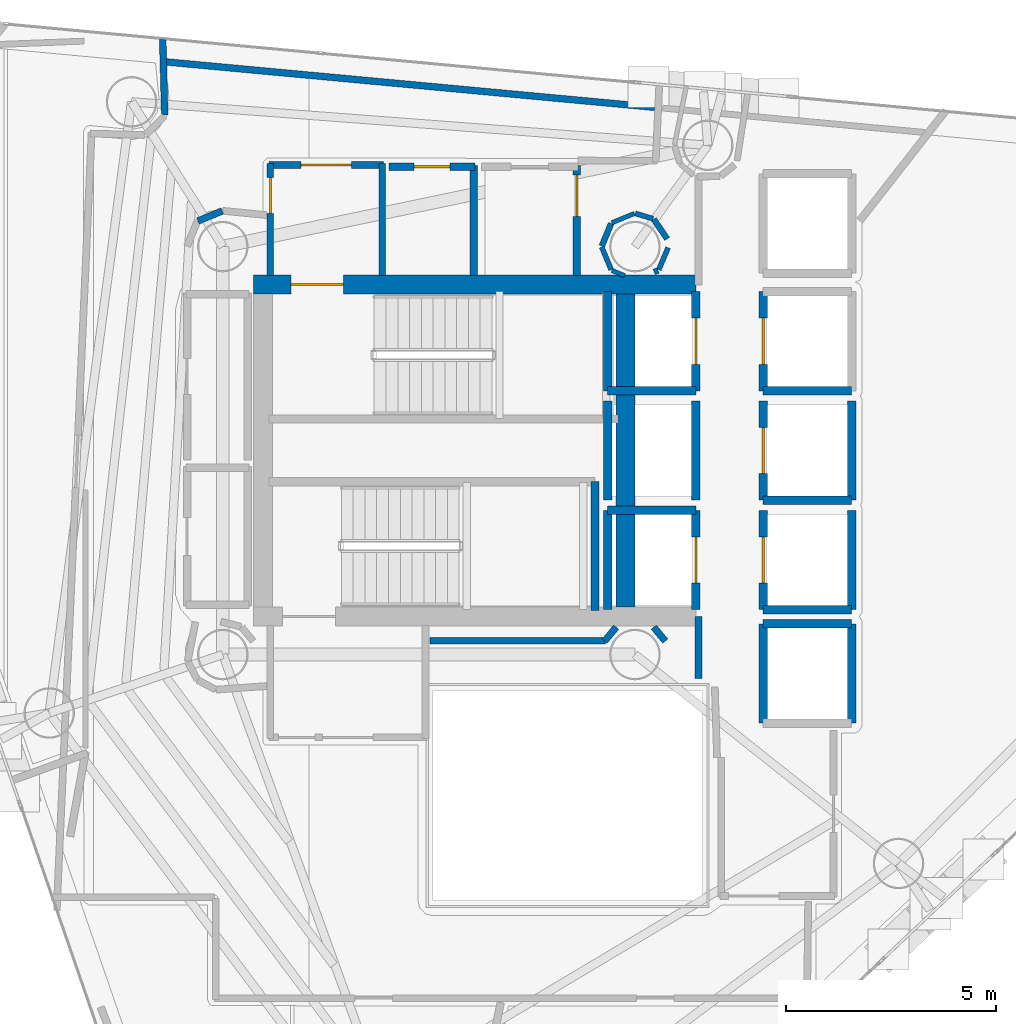
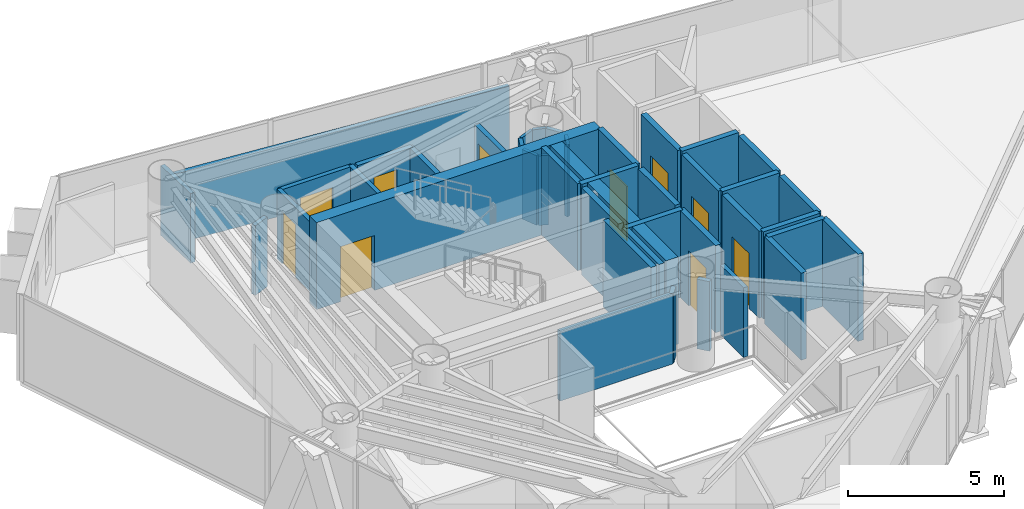
# One storey, part 17 of 20: 43 walls, 10 doors, 10 openings.
"""IFC4 building model written with IfcOpenShell, lengths in metres."""

from ifc_helpers import new_model, si_unit, direction, frame, frame_2d, origin, place, context, subcontext, project, spatial, rectangle, extrude, material, layer, layer_set, type_object, element, fill, save


model = new_model("IFC4")

# Units and contexts
model_context = context("Model", 3, precision=1e-05, world=origin(), true_north=direction((0.0, 1.0)))
body_context = subcontext(model_context, "Body", "Model", "MODEL_VIEW")
ifc_project = project(units=[si_unit("LENGTHUNIT", "METRE"), si_unit("AREAUNIT", "SQUARE_METRE"), si_unit("VOLUMEUNIT", "CUBIC_METRE"), si_unit("PLANEANGLEUNIT", "RADIAN"), si_unit("MASSUNIT", "GRAM", prefix="KILO")], contexts=[model_context])

# Site, building, storey
site_placement = place(None, origin())
site = spatial("IfcSite", under=ifc_project, at=site_placement, CompositionType="ELEMENT")
building_placement = place(site_placement, origin())
building = spatial("IfcBuilding", under=site, at=building_placement, Name="Qianvela Tower", CompositionType="ELEMENT")
storey_placement = place(building_placement, frame((0.0, 0.0, 226.199951171875)))
storey = spatial("IfcBuildingStorey", under=building, at=storey_placement, Name="L58", CompositionType="ELEMENT", Elevation=226.199951171875)

# Wall, opening, door
ifc_material_1 = material(Name="Concrete C50", Category="concrete")
ifc_layer_1 = layer(ifc_material_1, 0.449951171875)
ifc_layer_set_1 = layer_set([ifc_layer_1], Name="Concrete C50")
wall_type_1 = type_object("IfcWallType", Name="WT-CORE-450", PredefinedType="SHEAR", material=ifc_layer_set_1)
wall_1_placement = place(storey_placement, frame((29.330078125, 32.64501953125, 0.0), z_axis=(0.0, 0.0, 1.0), x_axis=(1.0, 0.0, 0.0)))
wall_1 = element("IfcWall", 1, at=wall_1_placement, inside=storey, type_object=wall_type_1, Name="L58 North Core Shear Wall", PredefinedType="SHEAR", context=body_context, shape_type="SweptSolid", body=[
    extrude(rectangle(XDim=10.52001953125, YDim=0.449951171875, at=frame_2d((5.260009765625, 0.0))), origin(), (0.0, 0.0, 1.0), 3.400146484375),
])
opening_1_placement = place(wall_1_placement, frame((0.89501953125, 0.0, 0.0)))
opening_1 = element("IfcOpeningElement", 2, at=opening_1_placement, cuts=wall_1, Name="Opening D-ST1", PredefinedType="OPENING", context=body_context, shape_type="SweptSolid", body=[
    extrude(rectangle(XDim=1.25, YDim=2.14990234375, at=frame_2d((0.625, 1.074951171875))), frame((0.0, 0.23486328125, 0.0), z_axis=(0.0, -1.0, 0.0), x_axis=(1.0, 0.0, 0.0)), (0.0, 0.0, 1.0), 0.469970703125),
])
ifc_material_2 = material(Name="Galvanised Fire Steel Q355B", Category="steel")
door_type_1 = type_object("IfcDoorType", Name="DT-STAIR-FD90", OperationType="NOTDEFINED", PredefinedType="DOOR", material=ifc_material_2)
door_1_placement = place(opening_1_placement, origin())
door_1 = element("IfcDoor", 3, at=door_1_placement, inside=storey, type_object=door_type_1, Name="L58 Stair ST-1 Exit Door", OperationType="SINGLE_SWING_RIGHT", OverallHeight=2.14990234375, OverallWidth=1.25, PredefinedType="DOOR", context=body_context, shape_type="SweptSolid", body=[
    extrude(rectangle(XDim=1.25, YDim=2.14990234375, at=frame_2d((0.625, 1.074951171875))), frame((0.0, 0.02490234375, 0.0), z_axis=(0.0, -1.0, 0.0), x_axis=(1.0, 0.0, 0.0)), (0.0, 0.0, 1.0), 0.050048828125),
])
fill(opening_1, door_1)

# Wall
wall_2_placement = place(storey_placement, frame((38.179931640625, 24.97998046875, 0.0), z_axis=(0.0, 0.0, 1.0), x_axis=(0.0, 1.0, 0.0)))
element("IfcWall", 4, at=wall_2_placement, inside=storey, type_object=wall_type_1, Name="L58 East Spine Core Shear Wall", PredefinedType="SHEAR", context=body_context, shape_type="SweptSolid", body=[
    extrude(rectangle(XDim=7.43994140625, YDim=0.449951171875, at=frame_2d((3.719970703125, 0.0))), origin(), (0.0, 0.0, 1.0), 3.400146484375),
])

# Wall, opening, door
ifc_material_3 = material(Name="Fire-Rated Gypsum and Concrete Block", Category="concrete")
ifc_layer_2 = layer(ifc_material_3, 0.159912109375)
ifc_layer_set_2 = layer_set([ifc_layer_2], Name="Fire-Rated Gypsum and Concrete Block")
wall_type_2 = type_object("IfcWallType", Name="WT-CORR-160", PredefinedType="PARTITIONING", material=ifc_layer_set_2)
wall_3_placement = place(storey_placement, frame((29.73095703125, 32.85791015625, 0.0), z_axis=(0.0, 0.0, 1.0), x_axis=(0.0, 1.0, 0.0)))
wall_3 = element("IfcWall", 5, at=wall_3_placement, inside=storey, type_object=wall_type_2, Name="L58 Partition 2", PredefinedType="PARTITIONING", context=body_context, shape_type="SweptSolid", body=[
    extrude(rectangle(XDim=2.662109375, YDim=0.159912109375, at=frame_2d((1.3310546875, 0.0))), origin(), (0.0, 0.0, 1.0), 2.719970703125),
])
opening_2_placement = place(wall_3_placement, frame((1.478271484375, 0.0, 0.0)))
opening_2 = element("IfcOpeningElement", 6, at=opening_2_placement, cuts=wall_3, Name="Opening D-LB2", PredefinedType="OPENING", context=body_context, shape_type="SweptSolid", body=[
    extrude(rectangle(XDim=0.860107421875, YDim=2.050048828125, at=frame_2d((0.43017578125, 1.02490234375))), frame((0.0, 0.08984375, 0.0), z_axis=(0.0, -1.0, 0.0), x_axis=(1.0, 0.0, 0.0)), (0.0, 0.0, 1.0), 0.179931640625),
])
ifc_material_4 = material(Name="Insulated Steel Fire Door Q355B", Category="steel")
door_type_2 = type_object("IfcDoorType", Name="DT-LOBBY-FD90-860", OperationType="NOTDEFINED", PredefinedType="DOOR", material=ifc_material_4)
door_2_placement = place(opening_2_placement, origin())
door_2 = element("IfcDoor", 7, at=door_2_placement, inside=storey, type_object=door_type_2, Name="L58 Door L58 Firefighting Lobby North to L58 Floor Corridor", OperationType="SINGLE_SWING_RIGHT", OverallHeight=2.050048828125, OverallWidth=0.860107421875, PredefinedType="DOOR", context=body_context, shape_type="SweptSolid", body=[
    extrude(rectangle(XDim=0.860107421875, YDim=2.050048828125, at=frame_2d((0.43017578125, 1.02490234375))), frame((0.0, 0.02490234375, 0.0), z_axis=(0.0, -1.0, 0.0), x_axis=(1.0, 0.0, 0.0)), (0.0, 0.0, 1.0), 0.050048828125),
])
fill(opening_2, door_2)

wall_4_placement = place(storey_placement, frame((29.699951171875, 35.489013671875, 0.0), z_axis=(0.0, 0.0, 1.0), x_axis=(1.0, 0.0, 0.0)))
wall_4 = element("IfcWall", 8, at=wall_4_placement, inside=storey, type_object=wall_type_2, Name="L58 Partition 3", PredefinedType="PARTITIONING", context=body_context, shape_type="SweptSolid", body=[
    extrude(rectangle(XDim=2.719970703125, YDim=0.159912109375, at=frame_2d((1.35986328125, 0.0))), origin(), (0.0, 0.0, 1.0), 2.719970703125),
])
opening_3_placement = place(wall_4_placement, frame((0.760009765625, 0.0, 0.0)))
opening_3 = element("IfcOpeningElement", 9, at=opening_3_placement, cuts=wall_4, Name="Opening D-LB1", PredefinedType="OPENING", context=body_context, shape_type="SweptSolid", body=[
    extrude(rectangle(XDim=1.199951171875, YDim=2.14990234375, at=frame_2d((0.60009765625, 1.074951171875))), frame((0.0, 0.08984375, 0.0), z_axis=(0.0, -1.0, 0.0), x_axis=(1.0, 0.0, 0.0)), (0.0, 0.0, 1.0), 0.179931640625),
])
ifc_material_5 = material(Name="Glazed Fire-Rated Steel Frame", Category="steel")
door_type_3 = type_object("IfcDoorType", Name="DT-LOBBY-FD90", OperationType="NOTDEFINED", PredefinedType="DOOR", material=ifc_material_5)
door_3_placement = place(opening_3_placement, origin())
door_3 = element("IfcDoor", 10, at=door_3_placement, inside=storey, type_object=door_type_3, Name="L58 Door L58 Firefighting Lobby North to L58 Floor Corridor", OperationType="SINGLE_SWING_RIGHT", OverallHeight=2.14990234375, OverallWidth=1.199951171875, PredefinedType="DOOR", context=body_context, shape_type="SweptSolid", body=[
    extrude(rectangle(XDim=1.199951171875, YDim=2.14990234375, at=frame_2d((0.60009765625, 1.074951171875))), frame((0.0, 0.02490234375, 0.0), z_axis=(0.0, -1.0, 0.0), x_axis=(1.0, 0.0, 0.0)), (0.0, 0.0, 1.0), 0.050048828125),
])
fill(opening_3, door_3)

# Walls
wall_5_placement = place(storey_placement, frame((32.388916015625, 35.52001953125, 0.0), z_axis=(0.0, 0.0, 1.0), x_axis=(0.0, -1.0, 0.0)))
element("IfcWall", 11, at=wall_5_placement, inside=storey, type_object=wall_type_2, Name="L58 Partition 4", PredefinedType="PARTITIONING", context=body_context, shape_type="SweptSolid", body=[
    extrude(rectangle(XDim=2.662109375, YDim=0.159912109375, at=frame_2d((1.3310546875, 0.0))), origin(), (0.0, 0.0, 1.0), 2.719970703125),
])
wall_6_placement = place(storey_placement, frame((39.910888671875, 23.280029296875, 0.0), z_axis=(0.0, 0.0, 1.0), x_axis=(0.0, 1.0, 0.0)))
element("IfcWall", 12, at=wall_6_placement, inside=storey, type_object=wall_type_2, Name="L58 Partition 10", PredefinedType="PARTITIONING", context=body_context, shape_type="SweptSolid", body=[
    extrude(rectangle(XDim=1.47998046875, YDim=0.159912109375, at=frame_2d((0.739990234375, 0.0))), origin(), (0.0, 0.0, 1.0), 2.719970703125),
])
for number, where, z_axis, x_axis, name in (
    (13, (39.12109375, 24.169921875, 0.0), (0.0, 0.0, 1.0), (-0.638008265708, 0.770029514296, 0.0), "L58 Partition 49"),
    (14, (37.953857421875, 24.501708984375, 0.0), (0.0, 0.0, 1.0), (-0.638008265708, -0.770029514296, 0.0), "L58 Partition 52"),
):
    element("IfcWall", number, at=place(storey_placement, frame(where, z_axis=z_axis, x_axis=x_axis)), inside=storey, type_object=wall_type_2, Name=name, PredefinedType="PARTITIONING", context=body_context, shape_type="SweptSolid", body=[
        extrude(rectangle(XDim=0.430908203125, YDim=0.159912109375, at=frame_2d((0.21533203125, 0.0))), origin(), (0.0, 0.0, 1.0), 2.719970703125),
    ])
wall_7_placement = place(storey_placement, frame((37.70263671875, 24.180908203125, 0.0), z_axis=(0.0, 0.0, 1.0), x_axis=(-1.0, 0.0, 0.0)))
element("IfcWall", 15, at=wall_7_placement, inside=storey, type_object=wall_type_2, Name="L58 Partition 53", PredefinedType="PARTITIONING", context=body_context, shape_type="SweptSolid", body=[
    extrude(rectangle(XDim=4.172607421875, YDim=0.159912109375, at=frame_2d((2.08642578125, 0.0))), origin(), (0.0, 0.0, 1.0), 2.719970703125),
])
wall_8_placement = place(storey_placement, frame((27.219482421875, 36.678955078125, 0.0), z_axis=(0.0, 0.0, 1.0), x_axis=(-0.026877703582, 0.999638729267, 0.0)))
element("IfcWall", 16, at=wall_8_placement, inside=storey, type_object=wall_type_2, Name="L58 Partition 54", PredefinedType="PARTITIONING", context=body_context, shape_type="SweptSolid", body=[
    extrude(rectangle(XDim=1.843994140625, YDim=0.159912109375, at=frame_2d((0.921875, 0.0))), origin(), (0.0, 0.0, 1.0), 2.719970703125),
])
wall_9_placement = place(storey_placement, frame((27.150634765625, 37.95068359375, 0.0), z_axis=(0.0, 0.0, 1.0), x_axis=(0.995705004973, -0.092582628349, 0.0)))
element("IfcWall", 17, at=wall_9_placement, inside=storey, type_object=wall_type_2, Name="L58 Partition 55", PredefinedType="PARTITIONING", context=body_context, shape_type="SweptSolid", body=[
    extrude(rectangle(XDim=11.88232421875, YDim=0.159912109375, at=frame_2d((5.941162109375, 0.0))), origin(), (0.0, 0.0, 1.0), 2.719970703125),
])
wall_10_placement = place(storey_placement, frame((28.588134765625, 34.398681640625, 0.0), z_axis=(0.0, 0.0, 1.0), x_axis=(-0.923846138666, -0.382764042293, 0.0)))
element("IfcWall", 18, at=wall_10_placement, inside=storey, type_object=wall_type_2, Name="L58 Partition 60", PredefinedType="PARTITIONING", context=body_context, shape_type="SweptSolid", body=[
    extrude(rectangle(XDim=0.627685546875, YDim=0.159912109375, at=frame_2d((0.31396484375, 0.0))), origin(), (0.0, 0.0, 1.0), 2.719970703125),
])
ifc_material_6 = material(Name="Lightweight Gypsum Room Partition")
ifc_layer_3 = layer(ifc_material_6, 0.10498046875)
ifc_layer_set_3 = layer_set([ifc_layer_3], Name="Lightweight Gypsum Room Partition")
wall_type_3 = type_object("IfcWallType", Name="WT-PART-105", PredefinedType="PARTITIONING", material=ifc_layer_set_3)
wall_11_placement = place(storey_placement, frame((38.38818359375, 34.338623046875, 0.0), z_axis=(0.0, 0.0, 1.0), x_axis=(-0.923894108428, -0.382648241093, 0.0)))
element("IfcWall", 19, at=wall_11_placement, inside=storey, type_object=wall_type_3, Name="L58 Partition 114", PredefinedType="PARTITIONING", context=body_context, shape_type="SweptSolid", body=[
    extrude(rectangle(XDim=0.581787109375, YDim=0.10498046875, at=frame_2d((0.291015625, 0.0))), origin(), (0.0, 0.0, 1.0), 2.719970703125),
])
wall_12_placement = place(storey_placement, frame((37.8505859375, 32.98388671875, 0.0), z_axis=(0.0, 0.0, 1.0), x_axis=(0.923908393326, -0.382613748761, 0.0)))
element("IfcWall", 20, at=wall_12_placement, inside=storey, type_object=wall_type_3, Name="L58 Partition 117", PredefinedType="PARTITIONING", context=body_context, shape_type="SweptSolid", body=[
    extrude(rectangle(XDim=0.329345703125, YDim=0.10498046875, at=frame_2d((0.16455078125, 0.0))), origin(), (0.0, 0.0, 1.0), 2.719970703125),
])
ifc_material_7 = material(Name="Insulated Gypsum Stud Partition")
ifc_layer_4 = layer(ifc_material_7, 0.1201171875)
ifc_layer_set_4 = layer_set([ifc_layer_4], Name="Insulated Gypsum Stud Partition")
wall_type_4 = type_object("IfcWallType", Name="WT-PART-120", PredefinedType="PARTITIONING", material=ifc_layer_set_4)
wall_13_placement = place(storey_placement, frame((38.831298828125, 34.211669921875, 0.0), z_axis=(0.0, 0.0, 1.0), x_axis=(-0.957061618741, 0.289884559665, 0.0)))
element("IfcWall", 21, at=wall_13_placement, inside=storey, type_object=wall_type_4, Name="L58 Partition 113", PredefinedType="PARTITIONING", context=body_context, shape_type="SweptSolid", body=[
    extrude(rectangle(XDim=0.44140625, YDim=0.1201171875, at=frame_2d((0.220703125, 0.0))), origin(), (0.0, 0.0, 1.0), 2.719970703125),
])
wall_14_placement = place(storey_placement, frame((37.611328125, 33.5380859375, 0.0), z_axis=(0.0, 0.0, 1.0), x_axis=(0.382796622927, -0.923832639322, 0.0)))
element("IfcWall", 22, at=wall_14_placement, inside=storey, type_object=wall_type_4, Name="L58 Partition 116", PredefinedType="PARTITIONING", context=body_context, shape_type="SweptSolid", body=[
    extrude(rectangle(XDim=0.58154296875, YDim=0.1201171875, at=frame_2d((0.290771484375, 0.0))), origin(), (0.0, 0.0, 1.0), 2.719970703125),
])
wall_15_placement = place(storey_placement, frame((38.966064453125, 33.00048828125, 0.0), z_axis=(0.0, 0.0, 1.0), x_axis=(0.389247517771, 0.921133198788, 0.0)))
element("IfcWall", 23, at=wall_15_placement, inside=storey, type_object=wall_type_4, Name="L58 Partition 119", PredefinedType="PARTITIONING", context=body_context, shape_type="SweptSolid", body=[
    extrude(rectangle(XDim=0.568359375, YDim=0.1201171875, at=frame_2d((0.2841796875, 0.0))), origin(), (0.0, 0.0, 1.0), 2.719970703125),
])

# Wall, opening, door
ifc_material_8 = material(Name="Moisture-Resistant Acoustic Plumbing Wall")
ifc_layer_5 = layer(ifc_material_8, 0.175048828125)
ifc_layer_set_5 = layer_set([ifc_layer_5], Name="Moisture-Resistant Acoustic Plumbing Wall")
wall_type_5 = type_object("IfcWallType", Name="WT-PLUMB-175", PredefinedType="PLUMBINGWALL", material=ifc_layer_set_5)
wall_16_placement = place(storey_placement, frame((32.550048828125, 35.448974609375, 0.0), z_axis=(0.0, 0.0, 1.0), x_axis=(1.0, 0.0, 0.0)))
wall_16 = element("IfcWall", 24, at=wall_16_placement, inside=storey, type_object=wall_type_5, Name="L58 Partition 22", PredefinedType="PLUMBINGWALL", context=body_context, shape_type="SweptSolid", body=[
    extrude(rectangle(XDim=2.050048828125, YDim=0.175048828125, at=frame_2d((1.02490234375, 0.0))), origin(), (0.0, 0.0, 1.0), 2.719970703125),
])
opening_4_placement = place(wall_16_placement, frame((0.594970703125, 0.0, 0.0)))
opening_4 = element("IfcOpeningElement", 25, at=opening_4_placement, cuts=wall_16, Name="Opening D-WC1", PredefinedType="OPENING", context=body_context, shape_type="SweptSolid", body=[
    extrude(rectangle(XDim=0.860107421875, YDim=2.050048828125, at=frame_2d((0.43017578125, 1.02490234375))), frame((0.0, 0.097412109375, 0.0), z_axis=(0.0, -1.0, 0.0), x_axis=(1.0, 0.0, 0.0)), (0.0, 0.0, 1.0), 0.195068359375),
])
ifc_material_9 = material(Name="Moisture-Sealed Acoustic Timber Door", Category="wood")
door_type_4 = type_object("IfcDoorType", Name="DT-WC-860", OperationType="NOTDEFINED", PredefinedType="DOOR", material=ifc_material_9)
door_4_placement = place(opening_4_placement, origin())
door_4 = element("IfcDoor", 26, at=door_4_placement, inside=storey, type_object=door_type_4, Name="L58 Door L58 Accessible WC to L58 Floor Corridor", OperationType="SINGLE_SWING_LEFT", OverallHeight=2.050048828125, OverallWidth=0.860107421875, PredefinedType="DOOR", context=body_context, shape_type="SweptSolid", body=[
    extrude(rectangle(XDim=0.860107421875, YDim=2.050048828125, at=frame_2d((0.43017578125, 1.02490234375))), frame((0.0, 0.02490234375, 0.0), z_axis=(0.0, -1.0, 0.0), x_axis=(1.0, 0.0, 0.0)), (0.0, 0.0, 1.0), 0.050048828125),
])
fill(opening_4, door_4)

# Wall
wall_17_placement = place(storey_placement, frame((34.569091796875, 35.47998046875, 0.0), z_axis=(0.0, 0.0, 1.0), x_axis=(0.0, -1.0, 0.0)))
element("IfcWall", 27, at=wall_17_placement, inside=storey, type_object=wall_type_5, Name="L58 Partition 23", PredefinedType="PLUMBINGWALL", context=body_context, shape_type="SweptSolid", body=[
    extrude(rectangle(XDim=2.6220703125, YDim=0.175048828125, at=frame_2d((1.31103515625, 0.0))), origin(), (0.0, 0.0, 1.0), 2.719970703125),
])

# Wall, opening, door
wall_18_placement = place(storey_placement, frame((37.01904296875, 35.47998046875, 0.0), z_axis=(0.0, 0.0, 1.0), x_axis=(0.0, -1.0, 0.0)))
wall_18 = element("IfcWall", 28, at=wall_18_placement, inside=storey, type_object=wall_type_5, Name="L58 Partition 27", PredefinedType="PLUMBINGWALL", context=body_context, shape_type="SweptSolid", body=[
    extrude(rectangle(XDim=2.6220703125, YDim=0.175048828125, at=frame_2d((1.31103515625, 0.0))), origin(), (0.0, 0.0, 1.0), 2.719970703125),
])
opening_5_placement = place(wall_18_placement, frame((0.22998046875, 0.0, 0.0)))
opening_5 = element("IfcOpeningElement", 29, at=opening_5_placement, cuts=wall_18, Name="Opening D-RM1", PredefinedType="OPENING", context=body_context, shape_type="SweptSolid", body=[
    extrude(rectangle(XDim=0.97998046875, YDim=2.10009765625, at=frame_2d((0.489990234375, 1.050048828125))), frame((0.0, 0.097412109375, 0.0), z_axis=(0.0, -1.0, 0.0), x_axis=(1.0, 0.0, 0.0)), (0.0, 0.0, 1.0), 0.195068359375),
])
ifc_material_10 = material(Name="Solid Core Acoustic Timber Fire Door", Category="wood")
door_type_5 = type_object("IfcDoorType", Name="DT-ROOM-FD60", OperationType="NOTDEFINED", PredefinedType="DOOR", material=ifc_material_10)
door_5_placement = place(opening_5_placement, origin())
door_5 = element("IfcDoor", 30, at=door_5_placement, inside=storey, type_object=door_type_5, Name="L58 Door Print Copy Kiosk L58-04 to L58 Core Tea Pantry", OperationType="SINGLE_SWING_RIGHT", OverallHeight=2.10009765625, OverallWidth=0.97998046875, PredefinedType="DOOR", context=body_context, shape_type="SweptSolid", body=[
    extrude(rectangle(XDim=0.97998046875, YDim=2.10009765625, at=frame_2d((0.489990234375, 1.050048828125))), frame((0.0, 0.02490234375, 0.0), z_axis=(0.0, -1.0, 0.0), x_axis=(1.0, 0.0, 0.0)), (0.0, 0.0, 1.0), 0.050048828125),
])
fill(opening_5, door_5)

# Walls
ifc_material_11 = material(Name="Acoustic Double Gypsum Stud Partition")
ifc_layer_6 = layer(ifc_material_11, 0.139892578125)
ifc_layer_set_6 = layer_set([ifc_layer_6], Name="Acoustic Double Gypsum Stud Partition")
wall_type_6 = type_object("IfcWallType", Name="WT-ROOM-140", PredefinedType="PARTITIONING", material=ifc_layer_set_6)
wall_19_placement = place(storey_placement, frame((39.16552734375, 33.7333984375, 0.0), z_axis=(0.0, 0.0, 1.0), x_axis=(-0.563162199293, 0.826346378517, 0.0)))
element("IfcWall", 31, at=wall_19_placement, inside=storey, type_object=wall_type_6, Name="L58 Partition 112", PredefinedType="PARTITIONING", context=body_context, shape_type="SweptSolid", body=[
    extrude(rectangle(XDim=0.56396484375, YDim=0.139892578125, at=frame_2d((0.281982421875, 0.0))), origin(), (0.0, 0.0, 1.0), 2.719970703125),
])
wall_20_placement = place(storey_placement, frame((37.833984375, 34.099365234375, 0.0), z_axis=(0.0, 0.0, 1.0), x_axis=(-0.382796622927, -0.923832639322, 0.0)))
element("IfcWall", 32, at=wall_20_placement, inside=storey, type_object=wall_type_6, Name="L58 Partition 115", PredefinedType="PARTITIONING", context=body_context, shape_type="SweptSolid", body=[
    extrude(rectangle(XDim=0.58154296875, YDim=0.139892578125, at=frame_2d((0.290771484375, 0.0))), origin(), (0.0, 0.0, 1.0), 2.719970703125),
])
wall_21_placement = place(storey_placement, frame((38.85498046875, 32.945068359375, 0.0), z_axis=(0.0, 0.0, 1.0), x_axis=(0.924628481531, 0.380870281252, 0.0)))
element("IfcWall", 33, at=wall_21_placement, inside=storey, type_object=wall_type_6, Name="L58 Partition 118", PredefinedType="PARTITIONING", context=body_context, shape_type="SweptSolid", body=[
    extrude(rectangle(XDim=0.101806640625, YDim=0.139892578125, at=frame_2d((0.05078125, 0.0))), origin(), (0.0, 0.0, 1.0), 2.719970703125),
])
ifc_material_12 = material(Name="Concrete C50", Category="concrete")
ifc_layer_7 = layer(ifc_material_12, 0.199951171875)
ifc_layer_set_7 = layer_set([ifc_layer_7], Name="Concrete C50")
wall_type_7 = type_object("IfcWallType", Name="WT-SHAFT-200", PredefinedType="SOLIDWALL", material=ifc_layer_set_7)
wall_22_placement = place(storey_placement, frame((37.449951171875, 24.89990234375, 0.0), z_axis=(0.0, 0.0, 1.0), x_axis=(0.0, 1.0, 0.0)))
element("IfcWall", 34, at=wall_22_placement, inside=storey, type_object=wall_type_7, Name="L58 Stair ST-2 East Wall", PredefinedType="SOLIDWALL", context=body_context, shape_type="SweptSolid", body=[
    extrude(rectangle(XDim=3.06005859375, YDim=0.199951171875, at=frame_2d((1.530029296875, 0.0))), origin(), (0.0, 0.0, 1.0), 3.400146484375),
])

# Wall, opening, door
wall_23_placement = place(storey_placement, frame((39.85009765625, 30.1201171875, 0.0), z_axis=(0.0, 0.0, 1.0), x_axis=(0.0, 1.0, 0.0)))
wall_23 = element("IfcWall", 35, at=wall_23_placement, inside=storey, type_object=wall_type_7, Name="L58 Lift FL-1 E Shaft Wall", PredefinedType="SOLIDWALL", context=body_context, shape_type="SweptSolid", body=[
    extrude(rectangle(XDim=2.35986328125, YDim=0.199951171875, at=frame_2d((1.179931640625, 0.0))), origin(), (0.0, 0.0, 1.0), 3.400146484375),
])
opening_6_placement = place(wall_23_placement, frame((0.6298828125, 0.0, 0.0)))
opening_6 = element("IfcOpeningElement", 36, at=opening_6_placement, cuts=wall_23, Name="Opening LD-01", PredefinedType="OPENING", context=body_context, shape_type="SweptSolid", body=[
    extrude(rectangle(XDim=1.10009765625, YDim=2.14990234375, at=frame_2d((0.550048828125, 1.074951171875))), frame((0.0, 0.10986328125, 0.0), z_axis=(0.0, -1.0, 0.0), x_axis=(1.0, 0.0, 0.0)), (0.0, 0.0, 1.0), 0.219970703125),
])
ifc_material_13 = material(Name="Brushed Stainless Steel Lift Landing Door", Category="steel")
door_type_6 = type_object("IfcDoorType", Name="DT-LIFT-SLIDE-1100", OperationType="SLIDING_TO_LEFT", PredefinedType="DOOR", material=ifc_material_13)
door_6_placement = place(opening_6_placement, origin())
door_6 = element("IfcDoor", 37, at=door_6_placement, inside=storey, type_object=door_type_6, Name="L58 Lift FL-1 Sliding Landing Door", OperationType="SLIDING_TO_LEFT", OverallHeight=2.14990234375, OverallWidth=1.10009765625, PredefinedType="DOOR", context=body_context, shape_type="SweptSolid", body=[
    extrude(rectangle(XDim=1.10009765625, YDim=2.14990234375, at=frame_2d((0.550048828125, 1.074951171875))), frame((0.0, 0.02490234375, 0.0), z_axis=(0.0, -1.0, 0.0), x_axis=(1.0, 0.0, 0.0)), (0.0, 0.0, 1.0), 0.050048828125),
])
fill(opening_6, door_6)

# Walls
wall_24_placement = place(storey_placement, frame((37.75, 30.1201171875, 0.0), z_axis=(0.0, 0.0, 1.0), x_axis=(0.0, 1.0, 0.0)))
element("IfcWall", 38, at=wall_24_placement, inside=storey, type_object=wall_type_7, Name="L58 Lift FL-1 W Shaft Wall", PredefinedType="SOLIDWALL", context=body_context, shape_type="SweptSolid", body=[
    extrude(rectangle(XDim=2.35986328125, YDim=0.199951171875, at=frame_2d((1.179931640625, 0.0))), origin(), (0.0, 0.0, 1.0), 3.400146484375),
])
wall_25_placement = place(storey_placement, frame((37.75, 30.1201171875, 0.0), z_axis=(0.0, 0.0, 1.0), x_axis=(1.0, 0.0, 0.0)))
element("IfcWall", 39, at=wall_25_placement, inside=storey, type_object=wall_type_7, Name="L58 Lift FL-1 S Shaft Wall", PredefinedType="SOLIDWALL", context=body_context, shape_type="SweptSolid", body=[
    extrude(rectangle(XDim=2.10009765625, YDim=0.199951171875, at=frame_2d((1.050048828125, 0.0))), origin(), (0.0, 0.0, 1.0), 3.400146484375),
])

# Wall, opening, door
wall_26_placement = place(storey_placement, frame((39.85009765625, 24.919921875, 0.0), z_axis=(0.0, 0.0, 1.0), x_axis=(0.0, 1.0, 0.0)))
wall_26 = element("IfcWall", 40, at=wall_26_placement, inside=storey, type_object=wall_type_7, Name="L58 Lift FL-2 E Shaft Wall", PredefinedType="SOLIDWALL", context=body_context, shape_type="SweptSolid", body=[
    extrude(rectangle(XDim=2.360107421875, YDim=0.199951171875, at=frame_2d((1.18017578125, 0.0))), origin(), (0.0, 0.0, 1.0), 3.400146484375),
])
opening_7_placement = place(wall_26_placement, frame((0.6298828125, 0.0, 0.0)))
opening_7 = element("IfcOpeningElement", 41, at=opening_7_placement, cuts=wall_26, Name="Opening LD-01", PredefinedType="OPENING", context=body_context, shape_type="SweptSolid", body=[
    extrude(rectangle(XDim=1.10009765625, YDim=2.14990234375, at=frame_2d((0.550048828125, 1.074951171875))), frame((0.0, 0.10986328125, 0.0), z_axis=(0.0, -1.0, 0.0), x_axis=(1.0, 0.0, 0.0)), (0.0, 0.0, 1.0), 0.219970703125),
])
door_7_placement = place(opening_7_placement, origin())
door_7 = element("IfcDoor", 42, at=door_7_placement, inside=storey, type_object=door_type_6, Name="L58 Lift FL-2 Sliding Landing Door", OperationType="SLIDING_TO_LEFT", OverallHeight=2.14990234375, OverallWidth=1.10009765625, PredefinedType="DOOR", context=body_context, shape_type="SweptSolid", body=[
    extrude(rectangle(XDim=1.10009765625, YDim=2.14990234375, at=frame_2d((0.550048828125, 1.074951171875))), frame((0.0, 0.02490234375, 0.0), z_axis=(0.0, -1.0, 0.0), x_axis=(1.0, 0.0, 0.0)), (0.0, 0.0, 1.0), 0.050048828125),
])
fill(opening_7, door_7)

# Walls
wall_27_placement = place(storey_placement, frame((37.75, 24.919921875, 0.0), z_axis=(0.0, 0.0, 1.0), x_axis=(0.0, 1.0, 0.0)))
element("IfcWall", 43, at=wall_27_placement, inside=storey, type_object=wall_type_7, Name="L58 Lift FL-2 W Shaft Wall", PredefinedType="SOLIDWALL", context=body_context, shape_type="SweptSolid", body=[
    extrude(rectangle(XDim=2.360107421875, YDim=0.199951171875, at=frame_2d((1.18017578125, 0.0))), origin(), (0.0, 0.0, 1.0), 3.400146484375),
])
wall_28_placement = place(storey_placement, frame((37.75, 27.280029296875, 0.0), z_axis=(0.0, 0.0, 1.0), x_axis=(1.0, 0.0, 0.0)))
element("IfcWall", 44, at=wall_28_placement, inside=storey, type_object=wall_type_7, Name="L58 Lift FL-2 N Shaft Wall", PredefinedType="SOLIDWALL", context=body_context, shape_type="SweptSolid", body=[
    extrude(rectangle(XDim=2.10009765625, YDim=0.199951171875, at=frame_2d((1.050048828125, 0.0))), origin(), (0.0, 0.0, 1.0), 3.400146484375),
])

# Wall, opening, door
wall_29_placement = place(storey_placement, frame((41.449951171875, 30.1201171875, 0.0), z_axis=(0.0, 0.0, 1.0), x_axis=(0.0, 1.0, 0.0)))
wall_29 = element("IfcWall", 45, at=wall_29_placement, inside=storey, type_object=wall_type_7, Name="L58 Lift PL-M1 W Shaft Wall", PredefinedType="SOLIDWALL", context=body_context, shape_type="SweptSolid", body=[
    extrude(rectangle(XDim=2.35986328125, YDim=0.199951171875, at=frame_2d((1.179931640625, 0.0))), origin(), (0.0, 0.0, 1.0), 3.400146484375),
])
opening_8_placement = place(wall_29_placement, frame((0.6298828125, 0.0, 0.0)))
opening_8 = element("IfcOpeningElement", 46, at=opening_8_placement, cuts=wall_29, Name="Opening LD-01", PredefinedType="OPENING", context=body_context, shape_type="SweptSolid", body=[
    extrude(rectangle(XDim=1.10009765625, YDim=2.14990234375, at=frame_2d((0.550048828125, 1.074951171875))), frame((0.0, 0.10986328125, 0.0), z_axis=(0.0, -1.0, 0.0), x_axis=(1.0, 0.0, 0.0)), (0.0, 0.0, 1.0), 0.219970703125),
])
door_8_placement = place(opening_8_placement, origin())
door_8 = element("IfcDoor", 47, at=door_8_placement, inside=storey, type_object=door_type_6, Name="L58 Lift PL-M1 Sliding Landing Door", OperationType="SLIDING_TO_LEFT", OverallHeight=2.14990234375, OverallWidth=1.10009765625, PredefinedType="DOOR", context=body_context, shape_type="SweptSolid", body=[
    extrude(rectangle(XDim=1.10009765625, YDim=2.14990234375, at=frame_2d((0.550048828125, 1.074951171875))), frame((0.0, 0.02490234375, 0.0), z_axis=(0.0, -1.0, 0.0), x_axis=(1.0, 0.0, 0.0)), (0.0, 0.0, 1.0), 0.050048828125),
])
fill(opening_8, door_8)

# Walls
wall_30_placement = place(storey_placement, frame((41.449951171875, 30.1201171875, 0.0), z_axis=(0.0, 0.0, 1.0), x_axis=(1.0, 0.0, 0.0)))
element("IfcWall", 48, at=wall_30_placement, inside=storey, type_object=wall_type_7, Name="L58 Lift PL-M1 S Shaft Wall", PredefinedType="SOLIDWALL", context=body_context, shape_type="SweptSolid", body=[
    extrude(rectangle(XDim=2.10009765625, YDim=0.199951171875, at=frame_2d((1.050048828125, 0.0))), origin(), (0.0, 0.0, 1.0), 3.400146484375),
])
wall_31_placement = place(storey_placement, frame((43.550048828125, 27.52001953125, 0.0), z_axis=(0.0, 0.0, 1.0), x_axis=(0.0, 1.0, 0.0)))
element("IfcWall", 49, at=wall_31_placement, inside=storey, type_object=wall_type_7, Name="L58 Lift PL-M2 E Shaft Wall", PredefinedType="SOLIDWALL", context=body_context, shape_type="SweptSolid", body=[
    extrude(rectangle(XDim=2.35986328125, YDim=0.199951171875, at=frame_2d((1.179931640625, 0.0))), origin(), (0.0, 0.0, 1.0), 3.400146484375),
])

# Wall, opening, door
wall_32_placement = place(storey_placement, frame((41.449951171875, 27.52001953125, 0.0), z_axis=(0.0, 0.0, 1.0), x_axis=(0.0, 1.0, 0.0)))
wall_32 = element("IfcWall", 50, at=wall_32_placement, inside=storey, type_object=wall_type_7, Name="L58 Lift PL-M2 W Shaft Wall", PredefinedType="SOLIDWALL", context=body_context, shape_type="SweptSolid", body=[
    extrude(rectangle(XDim=2.35986328125, YDim=0.199951171875, at=frame_2d((1.179931640625, 0.0))), origin(), (0.0, 0.0, 1.0), 3.400146484375),
])
opening_9_placement = place(wall_32_placement, frame((0.6298828125, 0.0, 0.0)))
opening_9 = element("IfcOpeningElement", 51, at=opening_9_placement, cuts=wall_32, Name="Opening LD-01", PredefinedType="OPENING", context=body_context, shape_type="SweptSolid", body=[
    extrude(rectangle(XDim=1.10009765625, YDim=2.14990234375, at=frame_2d((0.550048828125, 1.074951171875))), frame((0.0, 0.10986328125, 0.0), z_axis=(0.0, -1.0, 0.0), x_axis=(1.0, 0.0, 0.0)), (0.0, 0.0, 1.0), 0.219970703125),
])
door_9_placement = place(opening_9_placement, origin())
door_9 = element("IfcDoor", 52, at=door_9_placement, inside=storey, type_object=door_type_6, Name="L58 Lift PL-M2 Sliding Landing Door", OperationType="SLIDING_TO_LEFT", OverallHeight=2.14990234375, OverallWidth=1.10009765625, PredefinedType="DOOR", context=body_context, shape_type="SweptSolid", body=[
    extrude(rectangle(XDim=1.10009765625, YDim=2.14990234375, at=frame_2d((0.550048828125, 1.074951171875))), frame((0.0, 0.02490234375, 0.0), z_axis=(0.0, -1.0, 0.0), x_axis=(1.0, 0.0, 0.0)), (0.0, 0.0, 1.0), 0.050048828125),
])
fill(opening_9, door_9)

# Walls
wall_33_placement = place(storey_placement, frame((41.449951171875, 27.52001953125, 0.0), z_axis=(0.0, 0.0, 1.0), x_axis=(1.0, 0.0, 0.0)))
element("IfcWall", 53, at=wall_33_placement, inside=storey, type_object=wall_type_7, Name="L58 Lift PL-M2 S Shaft Wall", PredefinedType="SOLIDWALL", context=body_context, shape_type="SweptSolid", body=[
    extrude(rectangle(XDim=2.10009765625, YDim=0.199951171875, at=frame_2d((1.050048828125, 0.0))), origin(), (0.0, 0.0, 1.0), 3.400146484375),
])
wall_34_placement = place(storey_placement, frame((43.550048828125, 24.919921875, 0.0), z_axis=(0.0, 0.0, 1.0), x_axis=(0.0, 1.0, 0.0)))
element("IfcWall", 54, at=wall_34_placement, inside=storey, type_object=wall_type_7, Name="L58 Lift PL-M3 E Shaft Wall", PredefinedType="SOLIDWALL", context=body_context, shape_type="SweptSolid", body=[
    extrude(rectangle(XDim=2.360107421875, YDim=0.199951171875, at=frame_2d((1.18017578125, 0.0))), origin(), (0.0, 0.0, 1.0), 3.400146484375),
])

# Wall, opening, door
wall_35_placement = place(storey_placement, frame((41.449951171875, 24.919921875, 0.0), z_axis=(0.0, 0.0, 1.0), x_axis=(0.0, 1.0, 0.0)))
wall_35 = element("IfcWall", 55, at=wall_35_placement, inside=storey, type_object=wall_type_7, Name="L58 Lift PL-M3 W Shaft Wall", PredefinedType="SOLIDWALL", context=body_context, shape_type="SweptSolid", body=[
    extrude(rectangle(XDim=2.360107421875, YDim=0.199951171875, at=frame_2d((1.18017578125, 0.0))), origin(), (0.0, 0.0, 1.0), 3.400146484375),
])
opening_10_placement = place(wall_35_placement, frame((0.6298828125, 0.0, 0.0)))
opening_10 = element("IfcOpeningElement", 56, at=opening_10_placement, cuts=wall_35, Name="Opening LD-01", PredefinedType="OPENING", context=body_context, shape_type="SweptSolid", body=[
    extrude(rectangle(XDim=1.10009765625, YDim=2.14990234375, at=frame_2d((0.550048828125, 1.074951171875))), frame((0.0, 0.10986328125, 0.0), z_axis=(0.0, -1.0, 0.0), x_axis=(1.0, 0.0, 0.0)), (0.0, 0.0, 1.0), 0.219970703125),
])
door_10_placement = place(opening_10_placement, origin())
door_10 = element("IfcDoor", 57, at=door_10_placement, inside=storey, type_object=door_type_6, Name="L58 Lift PL-M3 Sliding Landing Door", OperationType="SLIDING_TO_LEFT", OverallHeight=2.14990234375, OverallWidth=1.10009765625, PredefinedType="DOOR", context=body_context, shape_type="SweptSolid", body=[
    extrude(rectangle(XDim=1.10009765625, YDim=2.14990234375, at=frame_2d((0.550048828125, 1.074951171875))), frame((0.0, 0.02490234375, 0.0), z_axis=(0.0, -1.0, 0.0), x_axis=(1.0, 0.0, 0.0)), (0.0, 0.0, 1.0), 0.050048828125),
])
fill(opening_10, door_10)

# Walls
wall_36_placement = place(storey_placement, frame((41.449951171875, 24.919921875, 0.0), z_axis=(0.0, 0.0, 1.0), x_axis=(1.0, 0.0, 0.0)))
element("IfcWall", 58, at=wall_36_placement, inside=storey, type_object=wall_type_7, Name="L58 Lift PL-M3 S Shaft Wall", PredefinedType="SOLIDWALL", context=body_context, shape_type="SweptSolid", body=[
    extrude(rectangle(XDim=2.10009765625, YDim=0.199951171875, at=frame_2d((1.050048828125, 0.0))), origin(), (0.0, 0.0, 1.0), 3.400146484375),
])
for number, where, z_axis, x_axis, name in (
    (59, (39.85009765625, 27.52001953125, 0.0), (0.0, 0.0, 1.0), (0.0, 1.0, 0.0), "L58 Lift PL-H1 E Shaft Wall"),
    (60, (37.75, 27.52001953125, 0.0), (0.0, 0.0, 1.0), (0.0, 1.0, 0.0), "L58 Lift PL-H1 W Shaft Wall"),
):
    element("IfcWall", number, at=place(storey_placement, frame(where, z_axis=z_axis, x_axis=x_axis)), inside=storey, type_object=wall_type_7, Name=name, PredefinedType="SOLIDWALL", context=body_context, shape_type="SweptSolid", body=[
        extrude(rectangle(XDim=2.35986328125, YDim=0.199951171875, at=frame_2d((1.179931640625, 0.0))), origin(), (0.0, 0.0, 1.0), 3.400146484375),
    ])
for number, where, z_axis, x_axis, name in (
    (61, (43.550048828125, 22.219970703125, 0.0), (0.0, 0.0, 1.0), (0.0, 1.0, 0.0), "L58 Lift PL-H2 E Shaft Wall"),
    (62, (41.449951171875, 22.219970703125, 0.0), (0.0, 0.0, 1.0), (0.0, 1.0, 0.0), "L58 Lift PL-H2 W Shaft Wall"),
):
    element("IfcWall", number, at=place(storey_placement, frame(where, z_axis=z_axis, x_axis=x_axis)), inside=storey, type_object=wall_type_7, Name=name, PredefinedType="SOLIDWALL", context=body_context, shape_type="SweptSolid", body=[
        extrude(rectangle(XDim=2.360107421875, YDim=0.199951171875, at=frame_2d((1.18017578125, 0.0))), origin(), (0.0, 0.0, 1.0), 3.400146484375),
    ])
wall_37_placement = place(storey_placement, frame((41.449951171875, 24.580078125, 0.0), z_axis=(0.0, 0.0, 1.0), x_axis=(1.0, 0.0, 0.0)))
element("IfcWall", 63, at=wall_37_placement, inside=storey, type_object=wall_type_7, Name="L58 Lift PL-H2 N Shaft Wall", PredefinedType="SOLIDWALL", context=body_context, shape_type="SweptSolid", body=[
    extrude(rectangle(XDim=2.10009765625, YDim=0.199951171875, at=frame_2d((1.050048828125, 0.0))), origin(), (0.0, 0.0, 1.0), 3.400146484375),
])

save(model, "model.ifc")
